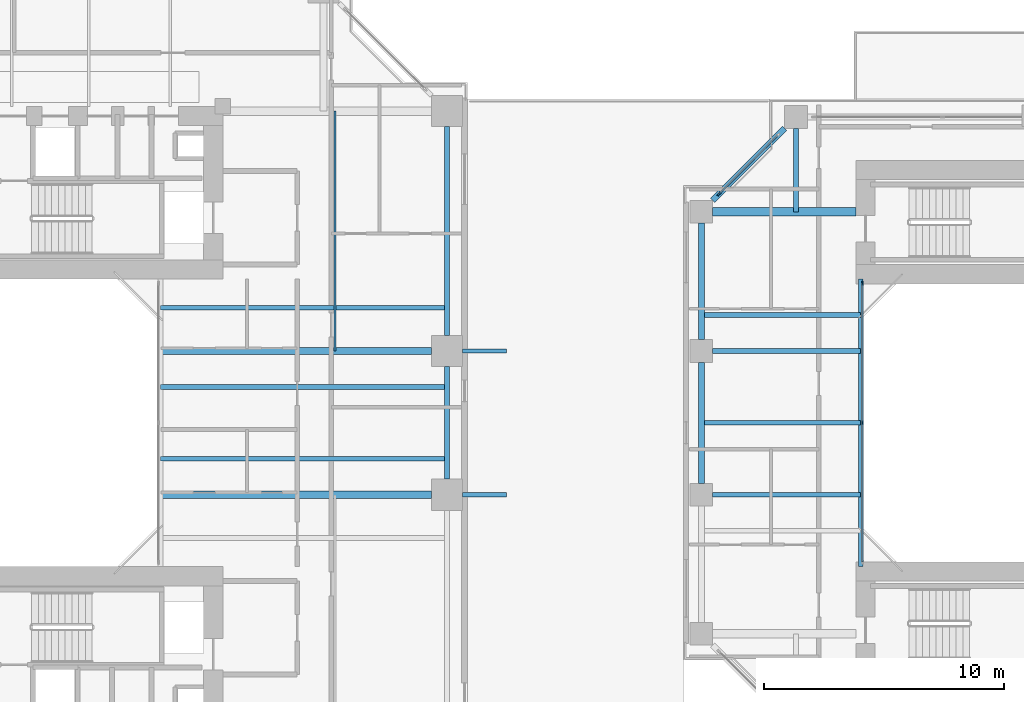
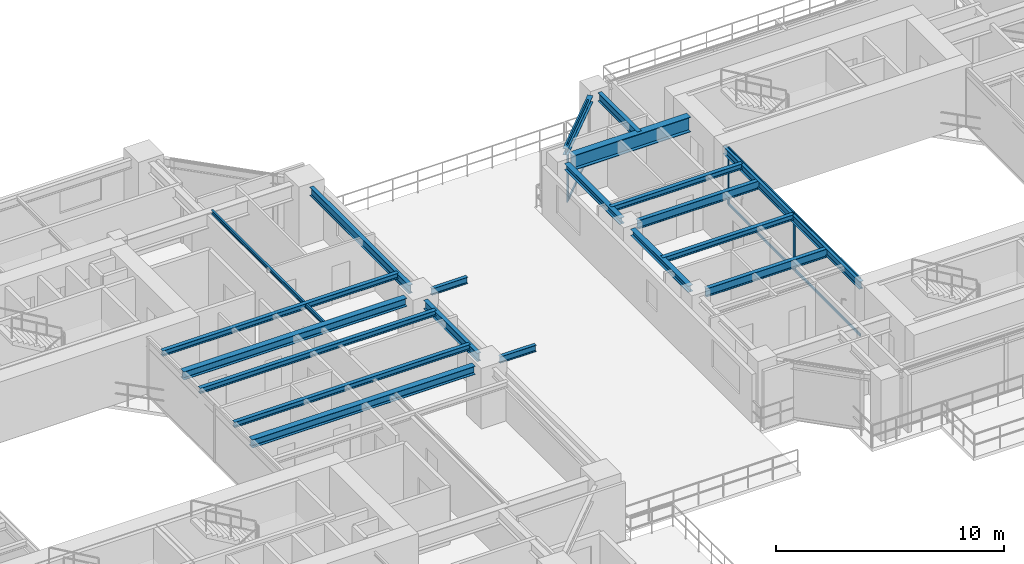
# One storey, part 6 of 22: 20 beams, 9 members, 2 elements without a shape of their own.
"""IFC4 building model written with IfcOpenShell, lengths in metres."""

import ifcopenshell
import ifcopenshell.guid

model = None  # the IFC model being written
_history = None  # IfcOwnerHistory: only IFC2X3 demands one
_inside = {}  # id of a spatial element -> (the spatial element, [elements in it])
_under = {}  # id of a project, library or spatial element -> (it, [spatial elements below it])
_declared = {}  # id of a project -> (the project, [libraries it declares])
_typed = {}  # id of a type object -> (the type object, [elements of that type])
_made_of = {}  # id of a material, layer set ... -> (it, [elements and type objects made of it])


def new_model(schema):
    """Start an empty IFC model of exactly this schema.

    Asked for "IFC4X3", IfcOpenShell would pick the latest addendum, in which some entities
    have other attributes; the version numbers below select the first issue.
    IFC2X3 requires an IfcOwnerHistory on every rooted entity: one is made here for all.
    """
    global model, _history
    if schema == "IFC4X3":
        model = ifcopenshell.file(schema_version=(4, 3, 0, 0))
    else:
        model = ifcopenshell.file(schema=schema)
    _inside.clear()
    _under.clear()
    _declared.clear()
    _typed.clear()
    _made_of.clear()
    _history = None
    if model.schema == "IFC2X3":
        org = make("IfcOrganization", Name="unknown")
        user = make(
            "IfcPersonAndOrganization",
            ThePerson=make("IfcPerson", FamilyName="unknown"),
            TheOrganization=org,
        )
        app = make(
            "IfcApplication",
            ApplicationDeveloper=org,
            Version="unknown",
            ApplicationFullName="unknown",
            ApplicationIdentifier="unknown",
        )
        _history = make(
            "IfcOwnerHistory",
            OwningUser=user,
            OwningApplication=app,
            ChangeAction="ADDED",
            CreationDate=0,
        )
    return model


def make(cls, **values):
    """One entity of the class cls with the attributes given. An attribute that is None is left unset."""
    return model.create_entity(
        cls, **{name: value for name, value in values.items() if value is not None}
    )


def rooted(cls, **values):
    """An entity with a GlobalId (a new one), such as an element, a storey or a relation."""
    return make(cls, GlobalId=ifcopenshell.guid.new(), OwnerHistory=_history, **values)


def si_unit(unit_type, name, prefix=None):
    """IfcSIUnit, for example si_unit("LENGTHUNIT", "METRE", prefix="MILLI")."""
    return make("IfcSIUnit", UnitType=unit_type, Prefix=prefix, Name=name)


def assignment(units):
    """IfcUnitAssignment: the units of a project."""
    return None if units is None else make("IfcUnitAssignment", Units=units)


def point(xyz):
    """IfcCartesianPoint."""
    return None if xyz is None else make("IfcCartesianPoint", Coordinates=xyz)


def direction(xyz):
    """IfcDirection."""
    return None if xyz is None else make("IfcDirection", DirectionRatios=xyz)


def frame(location, z_axis=None, x_axis=None):
    """IfcAxis2Placement3D, a coordinate frame: its origin and axes. An axis left out is left unset."""
    return make(
        "IfcAxis2Placement3D",
        Location=point(location),
        Axis=direction(z_axis),
        RefDirection=direction(x_axis),
    )


def frame_2d(location, x_axis=None):
    """IfcAxis2Placement2D, a coordinate frame in the plane: its origin and x axis."""
    return make(
        "IfcAxis2Placement2D", Location=point(location), RefDirection=direction(x_axis)
    )


def origin():
    """The frame at (0, 0, 0) with its axes left unset."""
    return frame((0.0, 0.0, 0.0))


def origin_2d():
    """The frame at (0, 0) in the plane with its x axis left unset."""
    return frame_2d((0.0, 0.0))


def place(relative_to, where):
    """IfcLocalPlacement: puts the frame where relative to a parent placement (None: the world)."""
    return make(
        "IfcLocalPlacement", PlacementRelTo=relative_to, RelativePlacement=where
    )


def context(
    kind, dimensions, precision=None, world=None, true_north=None, identifier=None
):
    """IfcGeometricRepresentationContext, for example the 3D "Model" context."""
    return make(
        "IfcGeometricRepresentationContext",
        ContextIdentifier=identifier,
        ContextType=kind,
        CoordinateSpaceDimension=dimensions,
        Precision=precision,
        WorldCoordinateSystem=world,
        TrueNorth=true_north,
    )


def subcontext(parent, identifier, kind, view, scale=None):
    """IfcGeometricRepresentationSubContext, for example "Body" below "Model"."""
    return make(
        "IfcGeometricRepresentationSubContext",
        ContextIdentifier=identifier,
        ContextType=kind,
        ParentContext=parent,
        TargetScale=scale,
        TargetView=view,
    )


def project(units=None, contexts=None):
    """IfcProject with its units and contexts."""
    return rooted(
        "IfcProject",
        Name="project",
        RepresentationContexts=contexts,
        UnitsInContext=assignment(units),
    )


def spatial(cls, under=None, at=None, **own):
    """A site, building, storey or space (cls), placed at a placement, below another one or the project."""
    s = rooted(cls, ObjectPlacement=at, **own)
    if under is not None:
        _under.setdefault(under.id(), (under, []))[1].append(s)
    return s


def profile(cls, at=None, kind="AREA", **sizes):
    """A parametric profile (cls). Its sizes go by their IFC names, for example OverallWidth=200.0."""
    return make(cls, ProfileType=kind, Position=at, **sizes)


def rectangle(**sizes):
    """IfcRectangleProfileDef."""
    return profile("IfcRectangleProfileDef", **sizes)


def i_section(**sizes):
    """IfcIShapeProfileDef."""
    return profile("IfcIShapeProfileDef", **sizes)


def extrude(swept, where, along, depth):
    """IfcExtrudedAreaSolid: the profile swept, set in the frame where, extruded along a direction by depth."""
    return make(
        "IfcExtrudedAreaSolid",
        SweptArea=swept,
        Position=where,
        ExtrudedDirection=direction(along),
        Depth=depth,
    )


def shape(context_of_items, identifier, shape_type, items):
    """IfcShapeRepresentation: the items that make up one representation, for example the "Body"."""
    return make(
        "IfcShapeRepresentation",
        ContextOfItems=context_of_items,
        RepresentationIdentifier=identifier,
        RepresentationType=shape_type,
        Items=items,
    )


def source(mapping_origin, context_of_items, identifier, shape_type, items):
    """IfcRepresentationMap: a shape defined once, which mapped items show again and again."""
    return make(
        "IfcRepresentationMap",
        MappingOrigin=mapping_origin,
        MappedRepresentation=shape(context_of_items, identifier, shape_type, items),
    )


def transform(
    local_origin,
    x_axis=None,
    y_axis=None,
    z_axis=None,
    scale=None,
    scale2=None,
    scale3=None,
    uniform=True,
):
    """IfcCartesianTransformationOperator3D, or its non-uniform kind. x_axis, y_axis, z_axis: its Axis1, 2, 3."""
    if uniform:
        return make(
            "IfcCartesianTransformationOperator3D",
            Axis1=direction(x_axis),
            Axis2=direction(y_axis),
            LocalOrigin=point(local_origin),
            Scale=scale,
            Axis3=direction(z_axis),
        )
    return make(
        "IfcCartesianTransformationOperator3DnonUniform",
        Axis1=direction(x_axis),
        Axis2=direction(y_axis),
        LocalOrigin=point(local_origin),
        Scale=scale,
        Axis3=direction(z_axis),
        Scale2=scale2,
        Scale3=scale3,
    )


def mapped(mapping_source, mapping_target):
    """IfcMappedItem: shows the shape of a source again, moved by a transform."""
    return make(
        "IfcMappedItem", MappingSource=mapping_source, MappingTarget=mapping_target
    )


def material(Name=None, Category=None):
    """IfcMaterial."""
    return make("IfcMaterial", Name=Name, Category=Category)


def layer(
    of_material, thickness, ventilated=None, Name=None, Category=None, Priority=None
):
    """IfcMaterialLayer: one layer of a wall or slab, of a material (None: an air gap)."""
    return make(
        "IfcMaterialLayer",
        Material=of_material,
        LayerThickness=thickness,
        IsVentilated=ventilated,
        Name=Name,
        Category=Category,
        Priority=Priority,
    )


def layer_set(layers, Name=None):
    """IfcMaterialLayerSet."""
    return make("IfcMaterialLayerSet", MaterialLayers=layers, LayerSetName=Name)


def material_profile(
    of_material, cross_section, Name=None, Category=None, Priority=None
):
    """IfcMaterialProfile: a cross section and its material."""
    return make(
        "IfcMaterialProfile",
        Name=Name,
        Material=of_material,
        Profile=cross_section,
        Priority=Priority,
        Category=Category,
    )


def profile_set(profiles, Name=None, composite=None):
    """IfcMaterialProfileSet."""
    return make(
        "IfcMaterialProfileSet",
        Name=Name,
        MaterialProfiles=profiles,
        CompositeProfile=composite,
    )


def made_of(thing, what):
    """Note that an element or type object is made of a material, layer set ...; save() writes the relation."""
    if what is not None:
        _made_of.setdefault(what.id(), (what, []))[1].append(thing)
    return thing


def type_object(cls, material=None, **own):
    """A type object (cls), such as IfcWallType, which elements share."""
    return made_of(rooted(cls, **own), material)


def element(
    cls,
    number,
    at=None,
    inside=None,
    cuts=None,
    type_object=None,
    material=None,
    context=None,
    identifier="Body",
    shape_type=None,
    held_by="IfcProductDefinitionShape",
    body=None,
    shapes=None,
    **own,
):
    """One element of the class cls, such as IfcWall. Its Tag is "e" and its number.

    at: its placement. inside: the storey or other place that contains it. cuts: it is an
    opening in that element (IfcRelVoidsElement). A single representation is given by context,
    identifier, shape_type and body (its items); several are given by shapes. held_by: the class
    of the entity that holds the representations. save() writes the other relations.
    """
    e = rooted(cls, Tag="e%d" % number, ObjectPlacement=at, **own)
    if body is not None:
        shapes = [shape(context, identifier, shape_type, body)]
    if shapes is not None:
        e.Representation = make(held_by, Representations=shapes)
    if inside is not None:
        _inside.setdefault(inside.id(), (inside, []))[1].append(e)
    if cuts is not None:
        rooted(
            "IfcRelVoidsElement", RelatingBuildingElement=cuts, RelatedOpeningElement=e
        )
    if type_object is not None:
        _typed.setdefault(type_object.id(), (type_object, []))[1].append(e)
    return made_of(e, material)


def aggregate(whole, parts):
    """IfcRelAggregates: a whole, such as a stair, and the parts it consists of."""
    return rooted("IfcRelAggregates", RelatingObject=whole, RelatedObjects=parts)


def save(model, path):
    """Write the relations noted so far, then the file.

    IfcRelAggregates (storeys below a building ...), IfcRelContainedInSpatialStructure (elements
    in a storey), IfcRelDefinesByType, IfcRelAssociatesMaterial and IfcRelDeclares: one each for
    every whole, place, type object, material and project.
    """
    for whole, parts in _under.values():
        aggregate(whole, parts)
    for where, things in _inside.values():
        rooted(
            "IfcRelContainedInSpatialStructure",
            RelatedElements=things,
            RelatingStructure=where,
        )
    for kind, things in _typed.values():
        rooted("IfcRelDefinesByType", RelatedObjects=things, RelatingType=kind)
    for what, things in _made_of.values():
        rooted("IfcRelAssociatesMaterial", RelatedObjects=things, RelatingMaterial=what)
    for by, libraries in _declared.values():
        rooted("IfcRelDeclares", RelatingContext=by, RelatedDefinitions=libraries)
    model.write(path)


model = new_model("IFC4")

# Units and contexts
model_context = context("Model", 3, precision=1e-05, world=origin(), true_north=direction((0.0, 1.0)))
body_context = subcontext(model_context, "Body", "Model", "MODEL_VIEW")
ifc_project = project(units=[si_unit("LENGTHUNIT", "METRE"), si_unit("AREAUNIT", "SQUARE_METRE"), si_unit("VOLUMEUNIT", "CUBIC_METRE"), si_unit("PLANEANGLEUNIT", "RADIAN"), si_unit("MASSUNIT", "GRAM", prefix="KILO"), si_unit("THERMODYNAMICTEMPERATUREUNIT", "KELVIN"), si_unit("POWERUNIT", "WATT")], contexts=[model_context])

# Site, building, storey
site_placement = place(None, origin())
site = spatial("IfcSite", under=ifc_project, at=site_placement, CompositionType="ELEMENT")
building_placement = place(site_placement, origin())
building = spatial("IfcBuilding", under=site, at=building_placement, Name="Qiaomeng Ring Towers", CompositionType="ELEMENT")
storey_placement = place(building_placement, frame((0.0, 0.0, 23.0)))
storey = spatial("IfcBuildingStorey", under=building, at=storey_placement, Name="L05", CompositionType="ELEMENT", Elevation=23.0)

# Beams
ifc_material_1 = material(Name="Steel Q355B", Category="steel")
ifc_material_profile_1 = material_profile(ifc_material_1, i_section(OverallWidth=0.199951171875, OverallDepth=0.449951171875, WebThickness=0.009033203125, FlangeThickness=0.013916015625, FilletRadius=0.01806640625, at=origin_2d()), Name="HN 450x200x9x14")
ifc_profile_set_1 = profile_set([ifc_material_profile_1], Name="Steel Q355B")
beam_type_1 = type_object("IfcBeamType", Name="STR-BM-HN450", PredefinedType="SPANDREL", material=ifc_profile_set_1)
shared_shape_1 = source(origin(), body_context, "Body", "SweptSolid", [
    extrude(i_section(OverallWidth=0.199951171875, OverallDepth=0.449951171875, WebThickness=0.009033203125, FlangeThickness=0.013916015625, FilletRadius=0.01806640625, at=origin_2d()), origin(), (0.0, 0.0, 1.0), 8.7021484375),
])
beam_1_placement = place(storey_placement, frame((37.14990234375, 26.64892578125, 2.844970703125), z_axis=(0.0, 1.0, 0.0), x_axis=(-1.0, 0.0, 0.0)))
element("IfcBeam", 1, at=beam_1_placement, inside=storey, type_object=beam_type_1, Name="L05 beam STR-SP-L05-T1-E3-E4", PredefinedType="SPANDREL", context=body_context, shape_type="MappedRepresentation", body=[
    mapped(shared_shape_1, transform((0.0, 0.0, 0.0), x_axis=(1.0, 0.0, 0.0), y_axis=(0.0, 1.0, 0.0), z_axis=(0.0, 0.0, 1.0), scale=1.0)),
])
shared_shape_2 = source(origin(), body_context, "Body", "SweptSolid", [
    extrude(i_section(OverallWidth=0.199951171875, OverallDepth=0.449951171875, WebThickness=0.009033203125, FlangeThickness=0.013916015625, FilletRadius=0.01806640625, at=origin_2d()), origin(), (0.0, 0.0, 1.0), 4.7021484375),
])
beam_2_placement = place(storey_placement, frame((37.14990234375, 20.64892578125, 2.844970703125), z_axis=(0.0, 1.0, 0.0), x_axis=(-1.0, 0.0, 0.0)))
element("IfcBeam", 2, at=beam_2_placement, inside=storey, type_object=beam_type_1, Name="L05 beam STR-SP-L05-T1-E2-E3", PredefinedType="SPANDREL", context=body_context, shape_type="MappedRepresentation", body=[
    mapped(shared_shape_2, transform((0.0, 0.0, 0.0), x_axis=(1.0, 0.0, 0.0), y_axis=(0.0, 1.0, 0.0), z_axis=(0.0, 0.0, 1.0), scale=1.0)),
])
ifc_material_profile_2 = material_profile(ifc_material_1, i_section(OverallWidth=0.300048828125, OverallDepth=0.43994140625, WebThickness=0.010986328125, FlangeThickness=0.01806640625, FilletRadius=0.02392578125, at=origin_2d()), Name="HM 440x300x11x18")
ifc_profile_set_2 = profile_set([ifc_material_profile_2], Name="Steel Q355B")
beam_type_2 = type_object("IfcBeamType", Name="STR-BM-HM440", PredefinedType="BEAM", material=ifc_profile_set_2)
shared_shape_3 = source(origin(), body_context, "Body", "SweptSolid", [
    extrude(i_section(OverallWidth=0.300048828125, OverallDepth=0.43994140625, WebThickness=0.010986328125, FlangeThickness=0.01806640625, FilletRadius=0.02392578125, at=origin_2d()), origin(), (0.0, 0.0, 1.0), 11.301025390625),
])
for number, where, z_axis, x_axis, name in (
    (3, (25.199951171875, 20.0, 2.85009765625), (1.0, 0.0, 0.0), (0.0, 1.0, 0.0), "L05 beam STR-BM-L05-T1-RAD-E2"),
    (4, (25.199951171875, 26.0, 2.85009765625), (1.0, 0.0, 0.0), (0.0, 1.0, 0.0), "L05 beam STR-BM-L05-T1-RAD-E3"),
):
    element("IfcBeam", number, at=place(storey_placement, frame(where, z_axis=z_axis, x_axis=x_axis)), inside=storey, type_object=beam_type_2, Name=name, PredefinedType="BEAM", context=body_context, shape_type="MappedRepresentation", body=[
        mapped(shared_shape_3, transform((0.0, 0.0, 0.0), x_axis=(1.0, 0.0, 0.0), y_axis=(0.0, 1.0, 0.0), z_axis=(0.0, 0.0, 1.0), scale=1.0)),
    ])
ifc_material_profile_3 = material_profile(ifc_material_1, i_section(OverallWidth=0.199951171875, OverallDepth=0.2939453125, WebThickness=0.008056640625, FlangeThickness=0.011962890625, FilletRadius=0.01806640625, at=origin_2d()), Name="HM 294x200x8x12")
ifc_profile_set_3 = profile_set([ifc_material_profile_3], Name="Steel Q355B")
beam_type_3 = type_object("IfcBeamType", Name="STR-BM-HM294", PredefinedType="JOIST", material=ifc_profile_set_3)
shared_shape_4 = source(origin(), body_context, "Body", "SweptSolid", [
    extrude(i_section(OverallWidth=0.199951171875, OverallDepth=0.2939453125, WebThickness=0.008056640625, FlangeThickness=0.011962890625, FilletRadius=0.01806640625, at=origin_2d()), origin(), (0.0, 0.0, 1.0), 11.949951171875),
])
for number, where, z_axis, x_axis, name in (
    (5, (25.199951171875, 21.5, 2.923095703125), (1.0, 0.0, 0.0), (0.0, 1.0, 0.0), "L05 beam STR-JST-L05-T1E-2"),
    (6, (25.199951171875, 24.5, 2.923095703125), (1.0, 0.0, 0.0), (0.0, 1.0, 0.0), "L05 beam STR-JST-L05-T1E-3"),
    (7, (25.199951171875, 27.800048828125, 2.923095703125), (1.0, 0.0, 0.0), (0.0, 1.0, 0.0), "L05 beam STR-JST-L05-T1E-4"),
):
    element("IfcBeam", number, at=place(storey_placement, frame(where, z_axis=z_axis, x_axis=x_axis)), inside=storey, type_object=beam_type_3, Name=name, PredefinedType="JOIST", context=body_context, shape_type="MappedRepresentation", body=[
        mapped(shared_shape_4, transform((0.0, 0.0, 0.0), x_axis=(1.0, 0.0, 0.0), y_axis=(0.0, 1.0, 0.0), z_axis=(0.0, 0.0, 1.0), scale=1.0)),
    ])
ifc_material_profile_4 = material_profile(ifc_material_1, i_section(OverallWidth=0.10009765625, OverallDepth=0.199951171875, WebThickness=0.005615234375, FlangeThickness=0.008056640625, FilletRadius=0.010986328125, at=origin_2d()), Name="HN 200x100x5.5x8")
ifc_profile_set_4 = profile_set([ifc_material_profile_4], Name="Steel Q355B")
beam_type_4 = type_object("IfcBeamType", Name="STR-BM-HN200", PredefinedType="JOIST", material=ifc_profile_set_4)
shared_shape_5 = source(origin(), body_context, "Body", "SweptSolid", [
    extrude(i_section(OverallWidth=0.10009765625, OverallDepth=0.199951171875, WebThickness=0.005615234375, FlangeThickness=0.008056640625, FilletRadius=0.010986328125, at=origin_2d()), origin(), (0.0, 0.0, 1.0), 10.0),
])
beam_3_placement = place(storey_placement, frame((32.47509765625, 26.0, 2.969970703125), z_axis=(0.0, 1.0, 0.0), x_axis=(-1.0, 0.0, 0.0)))
element("IfcBeam", 8, at=beam_3_placement, inside=storey, type_object=beam_type_4, Name="L05 beam STR-JST-L05-T1C-EN", PredefinedType="JOIST", context=body_context, shape_type="MappedRepresentation", body=[
    mapped(shared_shape_5, transform((0.0, 0.0, 0.0), x_axis=(1.0, 0.0, 0.0), y_axis=(0.0, 1.0, 0.0), z_axis=(0.0, 0.0, 1.0), scale=1.0)),
])
ifc_material_profile_5 = material_profile(ifc_material_1, i_section(OverallWidth=0.175048828125, OverallDepth=0.35009765625, WebThickness=0.007080078125, FlangeThickness=0.010986328125, FilletRadius=0.013916015625, at=origin_2d()), Name="HN 350x175x7x11")
ifc_profile_set_5 = profile_set([ifc_material_profile_5], Name="Steel Q355B")
beam_type_5 = type_object("IfcBeamType", Name="STR-BM-HN350", PredefinedType="JOIST", material=ifc_profile_set_5)
shared_shape_6 = source(origin(), body_context, "Body", "SweptSolid", [
    extrude(i_section(OverallWidth=0.175048828125, OverallDepth=0.35009765625, WebThickness=0.007080078125, FlangeThickness=0.010986328125, FilletRadius=0.013916015625, at=origin_2d()), origin(), (0.0, 0.0, 1.0), 1.821044921875),
])
for number, where, z_axis, x_axis, name in (
    (9, (37.799072265625, 20.0, 2.89501953125), (1.0, 0.0, 0.0), (0.0, 1.0, 0.0), "L05 beam STR-BALBM-L05-E2"),
    (10, (37.799072265625, 26.0, 2.89501953125), (1.0, 0.0, 0.0), (0.0, 1.0, 0.0), "L05 beam STR-BALBM-L05-E3"),
):
    element("IfcBeam", number, at=place(storey_placement, frame(where, z_axis=z_axis, x_axis=x_axis)), inside=storey, type_object=beam_type_5, Name=name, PredefinedType="JOIST", context=body_context, shape_type="MappedRepresentation", body=[
        mapped(shared_shape_6, transform((0.0, 0.0, 0.0), x_axis=(1.0, 0.0, 0.0), y_axis=(0.0, 1.0, 0.0), z_axis=(0.0, 0.0, 1.0), scale=1.0)),
    ])
ifc_material_profile_6 = material_profile(ifc_material_1, i_section(OverallWidth=0.25, OverallDepth=0.340087890625, WebThickness=0.009033203125, FlangeThickness=0.013916015625, FilletRadius=0.02001953125, at=origin_2d()), Name="HM 340x250x9x14")
ifc_profile_set_6 = profile_set([ifc_material_profile_6], Name="Steel Q355B")
beam_type_6 = type_object("IfcBeamType", Name="STR-BM-HM340", PredefinedType="SPANDREL", material=ifc_profile_set_6)
shared_shape_7 = source(origin(), body_context, "Body", "SweptSolid", [
    extrude(i_section(OverallWidth=0.25, OverallDepth=0.340087890625, WebThickness=0.009033203125, FlangeThickness=0.013916015625, FilletRadius=0.02001953125, at=origin_2d()), origin(), (0.0, 0.0, 1.0), 4.244384765625),
])
beam_4_placement = place(storey_placement, frame((51.2255859375, 35.275634765625, 2.89990234375), z_axis=(-0.707106781187, -0.707106781187, 0.0), x_axis=(0.707106781187, -0.707106781187, 0.0)))
element("IfcBeam", 11, at=beam_4_placement, inside=storey, type_object=beam_type_6, Name="L05 beam STR-SP-L05-T2-N1-W4", PredefinedType="SPANDREL", context=body_context, shape_type="MappedRepresentation", body=[
    mapped(shared_shape_7, transform((0.0, 0.0, 0.0), x_axis=(1.0, 0.0, 0.0), y_axis=(0.0, 1.0, 0.0), z_axis=(0.0, 0.0, 1.0), scale=1.0)),
])
shared_shape_8 = source(origin(), body_context, "Body", "SweptSolid", [
    extrude(i_section(OverallWidth=0.25, OverallDepth=0.340087890625, WebThickness=0.009033203125, FlangeThickness=0.013916015625, FilletRadius=0.02001953125, at=origin_2d()), origin(), (0.0, 0.0, 1.0), 4.851806640625),
])
beam_5_placement = place(storey_placement, frame((47.75, 31.325927734375, 2.89990234375), z_axis=(0.0, -1.0, 0.0), x_axis=(1.0, 0.0, 0.0)))
element("IfcBeam", 12, at=beam_5_placement, inside=storey, type_object=beam_type_6, Name="L05 beam STR-SP-L05-T2-W4-W3", PredefinedType="SPANDREL", context=body_context, shape_type="MappedRepresentation", body=[
    mapped(shared_shape_8, transform((0.0, 0.0, 0.0), x_axis=(1.0, 0.0, 0.0), y_axis=(0.0, 1.0, 0.0), z_axis=(0.0, 0.0, 1.0), scale=1.0)),
])
shared_shape_9 = source(origin(), body_context, "Body", "SweptSolid", [
    extrude(i_section(OverallWidth=0.25, OverallDepth=0.340087890625, WebThickness=0.009033203125, FlangeThickness=0.013916015625, FilletRadius=0.02001953125, at=origin_2d()), origin(), (0.0, 0.0, 1.0), 5.0517578125),
])
beam_6_placement = place(storey_placement, frame((47.75, 25.52587890625, 2.89990234375), z_axis=(0.0, -1.0, 0.0), x_axis=(1.0, 0.0, 0.0)))
element("IfcBeam", 13, at=beam_6_placement, inside=storey, type_object=beam_type_6, Name="L05 beam STR-SP-L05-T2-W3-W2", PredefinedType="SPANDREL", context=body_context, shape_type="MappedRepresentation", body=[
    mapped(shared_shape_9, transform((0.0, 0.0, 0.0), x_axis=(1.0, 0.0, 0.0), y_axis=(0.0, 1.0, 0.0), z_axis=(0.0, 0.0, 1.0), scale=1.0)),
])
ifc_material_profile_7 = material_profile(ifc_material_1, i_section(OverallWidth=0.199951171875, OverallDepth=0.39990234375, WebThickness=0.008056640625, FlangeThickness=0.012939453125, FilletRadius=0.01611328125, at=origin_2d()), Name="HN 400x200x8x13")
ifc_profile_set_7 = profile_set([ifc_material_profile_7], Name="Steel Q355B")
beam_type_7 = type_object("IfcBeamType", Name="STR-BM-HN400", PredefinedType="SPANDREL", material=ifc_profile_set_7)
shared_shape_10 = source(origin(), body_context, "Body", "SweptSolid", [
    extrude(i_section(OverallWidth=0.199951171875, OverallDepth=0.39990234375, WebThickness=0.008056640625, FlangeThickness=0.012939453125, FilletRadius=0.01611328125, at=origin_2d()), origin(), (0.0, 0.0, 1.0), 12.0),
])
beam_7_placement = place(storey_placement, frame((54.39990234375, 17.0, 2.8701171875), z_axis=(0.0, 1.0, 0.0), x_axis=(-1.0, 0.0, 0.0)))
element("IfcBeam", 14, at=beam_7_placement, inside=storey, type_object=beam_type_7, Name="L05 beam STR-BM-L05-T2-WELL-W", PredefinedType="SPANDREL", context=body_context, shape_type="MappedRepresentation", body=[
    mapped(shared_shape_10, transform((0.0, 0.0, 0.0), x_axis=(1.0, 0.0, 0.0), y_axis=(0.0, 1.0, 0.0), z_axis=(0.0, 0.0, 1.0), scale=1.0)),
])
ifc_material_2 = material(Name="Steel Q390GJC", Category="steel")
ifc_material_profile_8 = material_profile(ifc_material_2, i_section(OverallWidth=0.35009765625, OverallDepth=0.800048828125, WebThickness=0.01611328125, FlangeThickness=0.028076171875, at=origin_2d()), Name="WH 800x350x16x28")
ifc_profile_set_8 = profile_set([ifc_material_profile_8], Name="Steel Q390GJC")
beam_type_8 = type_object("IfcBeamType", Name="STR-BM-WH800", PredefinedType="BEAM", material=ifc_profile_set_8)
shared_shape_11 = source(origin(), body_context, "Body", "SweptSolid", [
    extrude(i_section(OverallWidth=0.35009765625, OverallDepth=0.800048828125, WebThickness=0.01611328125, FlangeThickness=0.028076171875, at=origin_2d()), origin(), (0.0, 0.0, 1.0), 5.975830078125),
])
beam_8_placement = place(storey_placement, frame((48.22412109375, 31.800048828125, 2.669921875), z_axis=(1.0, 0.0, 0.0), x_axis=(0.0, 1.0, 0.0)))
element("IfcBeam", 15, at=beam_8_placement, inside=storey, type_object=beam_type_8, Name="L05 beam STR-BM-L05-T2-RAD-W4", PredefinedType="BEAM", context=body_context, shape_type="MappedRepresentation", body=[
    mapped(shared_shape_11, transform((0.0, 0.0, 0.0), x_axis=(1.0, 0.0, 0.0), y_axis=(0.0, 1.0, 0.0), z_axis=(0.0, 0.0, 1.0), scale=1.0)),
])
shared_shape_12 = source(origin(), body_context, "Body", "SweptSolid", [
    extrude(i_section(OverallWidth=0.199951171875, OverallDepth=0.449951171875, WebThickness=0.009033203125, FlangeThickness=0.013916015625, FilletRadius=0.01806640625, at=origin_2d()), origin(), (0.0, 0.0, 1.0), 6.17578125),
])
for number, where, z_axis, x_axis, name in (
    (16, (48.22412109375, 20.0, 2.844970703125), (1.0, 0.0, 0.0), (0.0, 1.0, 0.0), "L05 beam STR-BM-L05-T2-RAD-W2"),
    (17, (48.22412109375, 26.0, 2.844970703125), (1.0, 0.0, 0.0), (0.0, 1.0, 0.0), "L05 beam STR-BM-L05-T2-RAD-W3"),
):
    element("IfcBeam", number, at=place(storey_placement, frame(where, z_axis=z_axis, x_axis=x_axis)), inside=storey, type_object=beam_type_1, Name=name, PredefinedType="SPANDREL", context=body_context, shape_type="MappedRepresentation", body=[
        mapped(shared_shape_12, transform((0.0, 0.0, 0.0), x_axis=(1.0, 0.0, 0.0), y_axis=(0.0, 1.0, 0.0), z_axis=(0.0, 0.0, 1.0), scale=1.0)),
    ])
shared_shape_13 = source(origin(), body_context, "Body", "SweptSolid", [
    extrude(i_section(OverallWidth=0.199951171875, OverallDepth=0.449951171875, WebThickness=0.009033203125, FlangeThickness=0.013916015625, FilletRadius=0.01806640625, at=origin_2d()), origin(), (0.0, 0.0, 1.0), 3.475830078125),
])
beam_9_placement = place(storey_placement, frame((51.699951171875, 35.27587890625, 2.844970703125), z_axis=(0.0, -1.0, 0.0), x_axis=(1.0, 0.0, 0.0)))
element("IfcBeam", 18, at=beam_9_placement, inside=storey, type_object=beam_type_1, Name="L05 beam STR-BM-L05-T2-RAD-N1", PredefinedType="SPANDREL", context=body_context, shape_type="MappedRepresentation", body=[
    mapped(shared_shape_13, transform((0.0, 0.0, 0.0), x_axis=(1.0, 0.0, 0.0), y_axis=(0.0, 1.0, 0.0), z_axis=(0.0, 0.0, 1.0), scale=1.0)),
])
shared_shape_14 = source(origin(), body_context, "Body", "SweptSolid", [
    extrude(i_section(OverallWidth=0.199951171875, OverallDepth=0.2939453125, WebThickness=0.008056640625, FlangeThickness=0.011962890625, FilletRadius=0.01806640625, at=origin_2d()), origin(), (0.0, 0.0, 1.0), 6.64990234375),
])
for number, where, z_axis, x_axis, name in (
    (19, (47.75, 23.0, 2.923095703125), (1.0, 0.0, 0.0), (0.0, 1.0, 0.0), "L05 beam STR-JST-L05-T2W-2"),
    (20, (47.75, 27.5, 2.923095703125), (1.0, 0.0, 0.0), (0.0, 1.0, 0.0), "L05 beam STR-JST-L05-T2W-3"),
):
    element("IfcBeam", number, at=place(storey_placement, frame(where, z_axis=z_axis, x_axis=x_axis)), inside=storey, type_object=beam_type_3, Name=name, PredefinedType="JOIST", context=body_context, shape_type="MappedRepresentation", body=[
        mapped(shared_shape_14, transform((0.0, 0.0, 0.0), x_axis=(1.0, 0.0, 0.0), y_axis=(0.0, 1.0, 0.0), z_axis=(0.0, 0.0, 1.0), scale=1.0)),
    ])

# Curtain wall, members
ifc_material_3 = material(Name="Fluorocarbon dark-grey aluminium", Category="aluminium")
ifc_layer_1 = layer(ifc_material_3, 0.139892578125, Name="Fluorocarbon dark-grey aluminium")
ifc_layer_set_1 = layer_set([ifc_layer_1], Name="Fluorocarbon dark-grey aluminium")
curtain_wall_type_1 = type_object("IfcCurtainWallType", Name="ARC-CW-4", PredefinedType="NOTDEFINED", material=ifc_layer_set_1)
curtain_wall_1_placement = place(storey_placement, origin())
curtain_wall_1 = element("IfcCurtainWall", 21, at=curtain_wall_1_placement, inside=storey, type_object=curtain_wall_type_1, Name="L05 Curtain Wall CW4", PredefinedType="NOTDEFINED")
ifc_material_profile_9 = material_profile(ifc_material_3, rectangle(XDim=0.06494140625, YDim=0.159912109375, at=origin_2d()), Name="ALU MULL 65x160")
ifc_profile_set_9 = profile_set([ifc_material_profile_9], Name="Fluorocarbon dark-grey aluminium")
member_type_1 = type_object("IfcMemberType", Name="ARC-CWM-140", PredefinedType="MULLION", material=ifc_profile_set_9)
shared_shape_15 = source(origin(), body_context, "Body", "SweptSolid", [
    extrude(rectangle(XDim=0.06494140625, YDim=0.159912109375, at=origin_2d()), origin(), (0.0, 0.0, 1.0), 3.070068359375),
])
member_1_placement = place(storey_placement, frame((54.47998046875, 23.0, 0.0), z_axis=(0.0, 0.0, 1.0), x_axis=(-1.0, 0.0, 0.0)))
member_1 = element("IfcMember", 22, at=member_1_placement, type_object=member_type_1, Name="CW4 mullion 2", PredefinedType="MULLION", context=body_context, shape_type="MappedRepresentation", body=[
    mapped(shared_shape_15, transform((0.0, 0.0, 0.0), x_axis=(1.0, 0.0, 0.0), y_axis=(0.0, 1.0, 0.0), z_axis=(0.0, 0.0, 1.0), scale=1.0)),
])
member_2_placement = place(storey_placement, frame((54.47998046875, 28.8173828125, 0.0), z_axis=(0.0, 0.0, 1.0), x_axis=(-1.0, 0.0, 0.0)))
member_2 = element("IfcMember", 23, at=member_2_placement, type_object=member_type_1, Name="CW4 mullion 3", PredefinedType="MULLION", context=body_context, shape_type="MappedRepresentation", body=[
    mapped(shared_shape_15, transform((0.0, 0.0, 0.0), x_axis=(1.0, 0.0, 0.0), y_axis=(0.0, 1.0, 0.0), z_axis=(0.0, 0.0, 1.0), scale=1.0)),
])
ifc_material_profile_10 = material_profile(ifc_material_3, rectangle(XDim=0.06494140625, YDim=0.1298828125, at=origin_2d()), Name="ALU TRAN 65x130")
ifc_profile_set_10 = profile_set([ifc_material_profile_10], Name="Fluorocarbon dark-grey aluminium")
member_type_2 = type_object("IfcMemberType", Name="ARC-CWT-120", PredefinedType="USERDEFINED", material=ifc_profile_set_10)
shared_shape_16 = source(origin(), body_context, "Body", "SweptSolid", [
    extrude(rectangle(XDim=0.06494140625, YDim=0.1298828125, at=origin_2d()), origin(), (0.0, 0.0, 1.0), 5.75244140625),
])
member_3_placement = place(storey_placement, frame((54.47998046875, 17.215087890625, 0.032470703125), z_axis=(0.0, 1.0, 0.0), x_axis=(-1.0, 0.0, 0.0)))
member_3 = element("IfcMember", 24, at=member_3_placement, type_object=member_type_2, Name="CW4 transom 1.1", ObjectType="TRANSOM", PredefinedType="USERDEFINED", context=body_context, shape_type="MappedRepresentation", body=[
    mapped(shared_shape_16, transform((0.0, 0.0, 0.0), x_axis=(1.0, 0.0, 0.0), y_axis=(0.0, 1.0, 0.0), z_axis=(0.0, 0.0, 1.0), scale=1.0)),
])
member_4_placement = place(storey_placement, frame((54.47998046875, 17.215087890625, 3.03759765625), z_axis=(0.0, 1.0, 0.0), x_axis=(-1.0, 0.0, 0.0)))
member_4 = element("IfcMember", 25, at=member_4_placement, type_object=member_type_2, Name="CW4 transom 1.2", ObjectType="TRANSOM", PredefinedType="USERDEFINED", context=body_context, shape_type="MappedRepresentation", body=[
    mapped(shared_shape_16, transform((0.0, 0.0, 0.0), x_axis=(1.0, 0.0, 0.0), y_axis=(0.0, 1.0, 0.0), z_axis=(0.0, 0.0, 1.0), scale=1.0)),
])
member_5_placement = place(storey_placement, frame((54.47998046875, 23.032470703125, 0.032470703125), z_axis=(0.0, 1.0, 0.0), x_axis=(-1.0, 0.0, 0.0)))
member_5 = element("IfcMember", 26, at=member_5_placement, type_object=member_type_2, Name="CW4 transom 2.1", ObjectType="TRANSOM", PredefinedType="USERDEFINED", context=body_context, shape_type="MappedRepresentation", body=[
    mapped(shared_shape_16, transform((0.0, 0.0, 0.0), x_axis=(1.0, 0.0, 0.0), y_axis=(0.0, 1.0, 0.0), z_axis=(0.0, 0.0, 1.0), scale=1.0)),
])
member_6_placement = place(storey_placement, frame((54.47998046875, 23.032470703125, 3.03759765625), z_axis=(0.0, 1.0, 0.0), x_axis=(-1.0, 0.0, 0.0)))
member_6 = element("IfcMember", 27, at=member_6_placement, type_object=member_type_2, Name="CW4 transom 2.2", ObjectType="TRANSOM", PredefinedType="USERDEFINED", context=body_context, shape_type="MappedRepresentation", body=[
    mapped(shared_shape_16, transform((0.0, 0.0, 0.0), x_axis=(1.0, 0.0, 0.0), y_axis=(0.0, 1.0, 0.0), z_axis=(0.0, 0.0, 1.0), scale=1.0)),
])
aggregate(curtain_wall_1, [member_1, member_2, member_3, member_4, member_5, member_6])

ifc_layer_2 = layer(ifc_material_3, 0.14990234375, Name="Fluorocarbon dark-grey aluminium")
ifc_layer_set_2 = layer_set([ifc_layer_2], Name="Fluorocarbon dark-grey aluminium")
curtain_wall_type_2 = type_object("IfcCurtainWallType", Name="ARC-CW-5", PredefinedType="NOTDEFINED", material=ifc_layer_set_2)
curtain_wall_2_placement = place(storey_placement, origin())
curtain_wall_2 = element("IfcCurtainWall", 28, at=curtain_wall_2_placement, inside=storey, type_object=curtain_wall_type_2, Name="L05 Curtain Wall CW5", PredefinedType="NOTDEFINED")
ifc_material_profile_11 = material_profile(ifc_material_3, rectangle(XDim=0.070068359375, YDim=0.179931640625, at=origin_2d()), Name="ALU MULL 70x180")
ifc_profile_set_11 = profile_set([ifc_material_profile_11], Name="Fluorocarbon dark-grey aluminium")
member_type_3 = type_object("IfcMemberType", Name="ARC-CWM-160", PredefinedType="MULLION", material=ifc_profile_set_11)
shared_shape_17 = source(origin(), body_context, "Body", "SweptSolid", [
    extrude(rectangle(XDim=0.070068359375, YDim=0.179931640625, at=origin_2d()), origin(), (0.0, 0.0, 1.0), 3.070068359375),
])
member_7_placement = place(storey_placement, frame((48.48974609375, 32.539794921875, 0.0), z_axis=(0.0, 0.0, 1.0), x_axis=(0.707106781187, -0.707106781187, 0.0)))
member_7 = element("IfcMember", 29, at=member_7_placement, type_object=member_type_3, Name="CW5 mullion 2", PredefinedType="MULLION", context=body_context, shape_type="MappedRepresentation", body=[
    mapped(shared_shape_17, transform((0.0, 0.0, 0.0), x_axis=(1.0, 0.0, 0.0), y_axis=(0.0, 1.0, 0.0), z_axis=(0.0, 0.0, 1.0), scale=1.0)),
])
shared_shape_18 = source(origin(), body_context, "Body", "SweptSolid", [
    extrude(rectangle(XDim=0.06494140625, YDim=0.1298828125, at=origin_2d()), origin(), (0.0, 0.0, 1.0), 3.424072265625),
])
member_8_placement = place(storey_placement, frame((50.935546875, 34.985595703125, 0.032470703125), z_axis=(-0.707106781187, -0.707106781187, 0.0), x_axis=(0.707106781187, -0.707106781187, 0.0)))
member_8 = element("IfcMember", 30, at=member_8_placement, type_object=member_type_2, Name="CW5 transom 1.1", ObjectType="TRANSOM", PredefinedType="USERDEFINED", context=body_context, shape_type="MappedRepresentation", body=[
    mapped(shared_shape_18, transform((0.0, 0.0, 0.0), x_axis=(1.0, 0.0, 0.0), y_axis=(0.0, 1.0, 0.0), z_axis=(0.0, 0.0, 1.0), scale=1.0)),
])
member_9_placement = place(storey_placement, frame((50.935546875, 34.985595703125, 3.03759765625), z_axis=(-0.707106781187, -0.707106781187, 0.0), x_axis=(0.707106781187, -0.707106781187, 0.0)))
member_9 = element("IfcMember", 31, at=member_9_placement, type_object=member_type_2, Name="CW5 transom 1.2", ObjectType="TRANSOM", PredefinedType="USERDEFINED", context=body_context, shape_type="MappedRepresentation", body=[
    mapped(shared_shape_18, transform((0.0, 0.0, 0.0), x_axis=(1.0, 0.0, 0.0), y_axis=(0.0, 1.0, 0.0), z_axis=(0.0, 0.0, 1.0), scale=1.0)),
])
aggregate(curtain_wall_2, [member_7, member_8, member_9])

save(model, "model.ifc")
